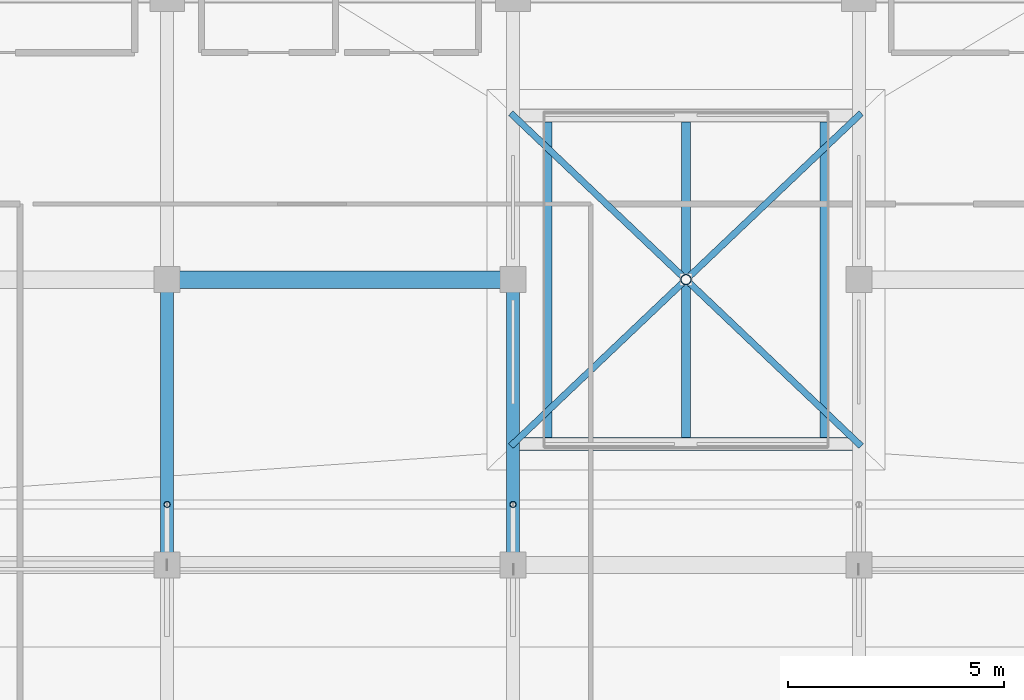
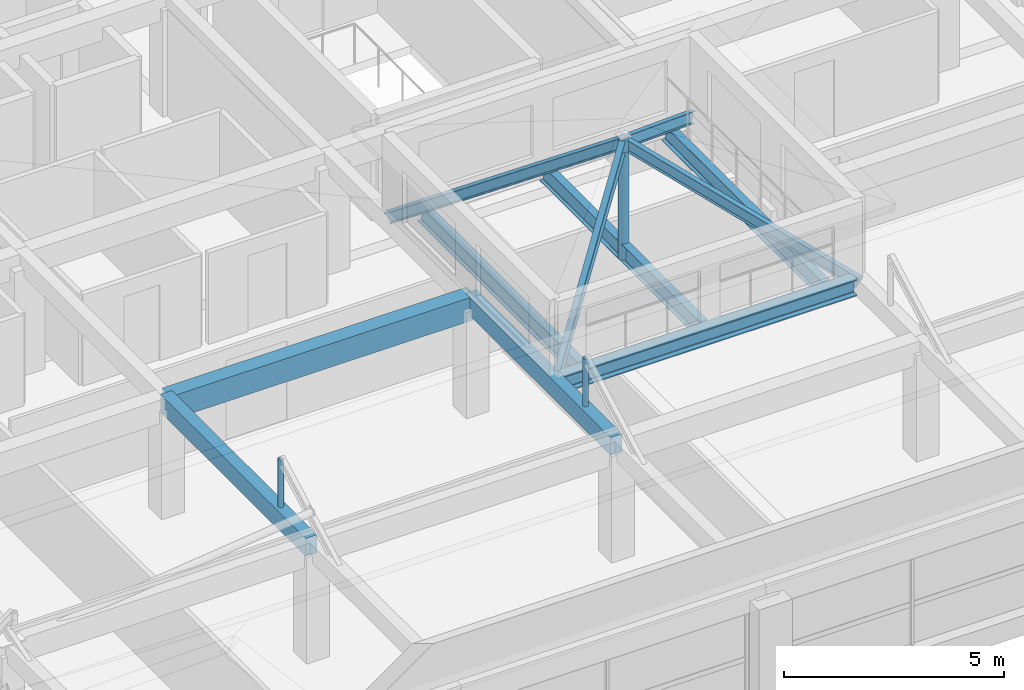
# One storey, part 8 of 39: 7 beams, 7 members.
"""IFC4 building model written with IfcOpenShell, lengths in metres."""

from ifc_helpers import new_model, si_unit, direction, frame, origin, origin_2d, place, context, subcontext, project, spatial, rectangle, hollow_circle, i_section, extrude, material, material_profile, profile_set, type_object, element, save


model = new_model("IFC4")

# Units and contexts
model_context = context("Model", 3, precision=1e-05, world=origin(), true_north=direction((0.0, 1.0)))
body_context = subcontext(model_context, "Body", "Model", "MODEL_VIEW")
ifc_project = project(units=[si_unit("LENGTHUNIT", "METRE"), si_unit("AREAUNIT", "SQUARE_METRE"), si_unit("VOLUMEUNIT", "CUBIC_METRE"), si_unit("PLANEANGLEUNIT", "RADIAN"), si_unit("MASSUNIT", "GRAM", prefix="KILO")], contexts=[model_context])

# Site, building, storey
site_placement = place(None, origin())
site = spatial("IfcSite", under=ifc_project, at=site_placement, CompositionType="ELEMENT")
building_placement = place(site_placement, origin())
building = spatial("IfcBuilding", under=site, at=building_placement, Name="Akrevak Sports Hall", CompositionType="ELEMENT")
storey_placement = place(building_placement, frame((0.0, 0.0, 66.550048828125)))
storey = spatial("IfcBuildingStorey", under=building, at=storey_placement, Name="L17", CompositionType="ELEMENT", Elevation=66.550048828125)

# Beams
ifc_material_1 = material(Name="Concrete C40/50", Category="concrete")
ifc_material_profile_1 = material_profile(ifc_material_1, rectangle(XDim=0.300048828125, YDim=0.5, at=origin_2d()), Name="BM 300x500", Category="concrete")
ifc_profile_set_1 = profile_set([ifc_material_profile_1], Name="Concrete C40/50")
beam_type_1 = type_object("IfcBeamType", Name="STR-BM-RC300x500", PredefinedType="BEAM", material=ifc_profile_set_1)
for number, where, z_axis, x_axis, name in (
    (1, (68.0, 42.0, 3.0), (0.0, 1.0, 0.0), (-1.0, 0.0, 0.0), "Girder 10/G-H (ROOF)"),
    (2, (76.0, 42.0, 3.0), (0.0, 1.0, 0.0), (-1.0, 0.0, 0.0), "Girder 11/G-H (ROOF)"),
):
    element("IfcBeam", number, at=place(storey_placement, frame(where, z_axis=z_axis, x_axis=x_axis)), inside=storey, type_object=beam_type_1, Name=name, PredefinedType="BEAM", context=body_context, shape_type="SweptSolid", body=[
        extrude(rectangle(XDim=0.300048828125, YDim=0.5, at=origin_2d()), origin(), (0.0, 0.0, 1.0), 6.60009765625),
    ])
ifc_material_profile_2 = material_profile(ifc_material_1, rectangle(XDim=0.39990234375, YDim=0.64990234375, at=origin_2d()), Name="BM 400x650", Category="concrete")
ifc_profile_set_2 = profile_set([ifc_material_profile_2], Name="Concrete C40/50")
beam_type_2 = type_object("IfcBeamType", Name="STR-BM-RC400x650", PredefinedType="BEAM", material=ifc_profile_set_2)
beam_1_placement = place(storey_placement, frame((68.0, 48.60009765625, 2.925048828125), z_axis=(1.0, 0.0, 0.0), x_axis=(0.0, 1.0, 0.0)))
element("IfcBeam", 3, at=beam_1_placement, inside=storey, type_object=beam_type_2, Name="Girder H/10-11 (ROOF)", PredefinedType="BEAM", context=body_context, shape_type="SweptSolid", body=[
    extrude(rectangle(XDim=0.39990234375, YDim=0.64990234375, at=origin_2d()), origin(), (0.0, 0.0, 1.0), 8.0),
])
ifc_material_2 = material(Name="Steel S355", Category="steel")
ifc_material_profile_3 = material_profile(ifc_material_2, i_section(OverallWidth=0.300048828125, OverallDepth=0.449951171875, WebThickness=0.013916015625, FlangeThickness=0.02587890625, FilletRadius=0.027099609375, at=origin_2d()), Name="HEB 450", Category="steel")
ifc_profile_set_3 = profile_set([ifc_material_profile_3], Name="Steel S355")
beam_type_3 = type_object("IfcBeamType", Name="STR-BM-STL-HEB450", PredefinedType="BEAM", material=ifc_profile_set_3)
beam_2_placement = place(storey_placement, frame((76.14892578125, 44.800048828125, 3.0), z_axis=(1.0, 0.0, 0.0), x_axis=(0.0, 1.0, 0.0)))
element("IfcBeam", 4, at=beam_2_placement, inside=storey, type_object=beam_type_3, Name="Cupola Lantern South Steel Ring Beam", PredefinedType="BEAM", context=body_context, shape_type="SweptSolid", body=[
    extrude(i_section(OverallWidth=0.300048828125, OverallDepth=0.449951171875, WebThickness=0.013916015625, FlangeThickness=0.02587890625, FilletRadius=0.027099609375, at=origin_2d()), origin(), (0.0, 0.0, 1.0), 7.7021484375),
])
ifc_material_profile_4 = material_profile(ifc_material_2, i_section(OverallWidth=0.199951171875, OverallDepth=0.5, WebThickness=0.01025390625, FlangeThickness=0.01611328125, FilletRadius=0.02099609375, at=origin_2d()), Name="IPE 500", Category="steel")
ifc_profile_set_4 = profile_set([ifc_material_profile_4], Name="Steel S355")
beam_type_4 = type_object("IfcBeamType", Name="STR-BM-STL-IPE500", PredefinedType="BEAM", material=ifc_profile_set_4)
for number, where, z_axis, x_axis, name in (
    (5, (76.800048828125, 44.948974609375, 3.0), (0.0, 1.0, 0.0), (-1.0, 0.0, 0.0), "Cupola Lantern West Steel Trimmer"),
    (6, (83.199951171875, 44.948974609375, 3.0), (0.0, 1.0, 0.0), (-1.0, 0.0, 0.0), "Cupola Lantern East Steel Trimmer"),
    (7, (80.0, 44.948974609375, 3.0), (0.0, 1.0, 0.0), (-1.0, 0.0, 0.0), "Cupola Lantern Central King-Post Trimmer"),
):
    element("IfcBeam", number, at=place(storey_placement, frame(where, z_axis=z_axis, x_axis=x_axis)), inside=storey, type_object=beam_type_4, Name=name, PredefinedType="BEAM", context=body_context, shape_type="SweptSolid", body=[
        extrude(i_section(OverallWidth=0.199951171875, OverallDepth=0.5, WebThickness=0.01025390625, FlangeThickness=0.01611328125, FilletRadius=0.02099609375, at=origin_2d()), origin(), (0.0, 0.0, 1.0), 7.302001953125),
    ])

# Members
ifc_material_profile_5 = material_profile(ifc_material_2, hollow_circle(Radius=0.06982421875, WallThickness=0.008056640625, at=origin_2d()), Name="CHS 139.7x8", Category="steel")
ifc_profile_set_5 = profile_set([ifc_material_profile_5], Name="Steel S355")
member_type_1 = type_object("IfcMemberType", Name="STR-MEM-BRACE-CHS139", PredefinedType="BRACE", material=ifc_profile_set_5)
for number, where, z_axis, x_axis, name in (
    (8, (68.0, 43.39990234375, 2.949951171875), (0.0, 0.0, 1.0), (1.0, 0.0, 0.0), "Mansard Knee Post MANS-W-S-68"),
    (9, (76.0, 43.39990234375, 2.949951171875), (0.0, 0.0, 1.0), (1.0, 0.0, 0.0), "Mansard Knee Post MANS-W-S-76"),
):
    element("IfcMember", number, at=place(storey_placement, frame(where, z_axis=z_axis, x_axis=x_axis)), inside=storey, type_object=member_type_1, Name=name, PredefinedType="BRACE", context=body_context, shape_type="SweptSolid", body=[
        extrude(hollow_circle(Radius=0.06982421875, WallThickness=0.008056640625, at=origin_2d()), origin(), (0.0, 0.0, 1.0), 1.6201171875),
    ])
ifc_material_profile_6 = material_profile(ifc_material_2, hollow_circle(Radius=0.122314453125, WallThickness=0.012451171875, at=origin_2d()), Name="CHS 244.5x12.5", Category="steel")
ifc_profile_set_6 = profile_set([ifc_material_profile_6], Name="Steel S355")
member_type_2 = type_object("IfcMemberType", Name="STR-MEM-BRACE-CHS244", PredefinedType="BRACE", material=ifc_profile_set_6)
member_placement = place(storey_placement, frame((80.0, 48.60009765625, 2.800048828125), z_axis=(0.0, 0.0, 1.0), x_axis=(1.0, 0.0, 0.0)))
element("IfcMember", 10, at=member_placement, inside=storey, type_object=member_type_2, Name="Crown Cupola Central King Post", PredefinedType="BRACE", context=body_context, shape_type="SweptSolid", body=[
    extrude(hollow_circle(Radius=0.122314453125, WallThickness=0.012451171875, at=origin_2d()), origin(), (0.0, 0.0, 1.0), 3.369873046875),
])
ifc_material_profile_7 = material_profile(ifc_material_2, i_section(OverallWidth=0.14990234375, OverallDepth=0.300048828125, WebThickness=0.007080078125, FlangeThickness=0.0107421875, FilletRadius=0.014892578125, at=origin_2d()), Name="IPE 300", Category="steel")
ifc_profile_set_7 = profile_set([ifc_material_profile_7], Name="Steel S355")
member_type_3 = type_object("IfcMemberType", Name="STR-MEM-RAF-IPE300", PredefinedType="RAFTER", material=ifc_profile_set_7)
for number, where, z_axis, x_axis, name in (
    (11, (76.0, 44.800048828125, 3.0), (0.636926758842, 0.605088195885, 0.477695069131), (-0.688754113694, 0.724995014376, 0.0), "Crown Cupola Dome Rib 1"),
    (12, (84.0, 44.800048828125, 3.0), (-0.636926758842, 0.605088195885, 0.477695069131), (-0.688754113694, -0.724995014376, 0.0), "Crown Cupola Dome Rib 2"),
):
    element("IfcMember", number, at=place(storey_placement, frame(where, z_axis=z_axis, x_axis=x_axis)), inside=storey, type_object=member_type_3, Name=name, PredefinedType="RAFTER", context=body_context, shape_type="SweptSolid", body=[
        extrude(i_section(OverallWidth=0.14990234375, OverallDepth=0.300048828125, WebThickness=0.007080078125, FlangeThickness=0.0107421875, FilletRadius=0.014892578125, at=origin_2d()), origin(), (0.0, 0.0, 1.0), 6.2802734375),
    ])
for number, where, z_axis, x_axis, name in (
    (13, (84.0, 52.39990234375, 3.0), (-0.636941741163, -0.605063553434, 0.477706305872), (0.688730853947, -0.725017110709, 0.0), "Crown Cupola Dome Rib 3"),
    (14, (76.0, 52.39990234375, 3.0), (0.636941741163, -0.605063553434, 0.477706305872), (0.688730853947, 0.725017110709, 0.0), "Crown Cupola Dome Rib 4"),
):
    element("IfcMember", number, at=place(storey_placement, frame(where, z_axis=z_axis, x_axis=x_axis)), inside=storey, type_object=member_type_3, Name=name, PredefinedType="RAFTER", context=body_context, shape_type="SweptSolid", body=[
        extrude(i_section(OverallWidth=0.14990234375, OverallDepth=0.300048828125, WebThickness=0.007080078125, FlangeThickness=0.0107421875, FilletRadius=0.014892578125, at=origin_2d()), origin(), (0.0, 0.0, 1.0), 6.280029296875),
    ])

save(model, "model.ifc")
